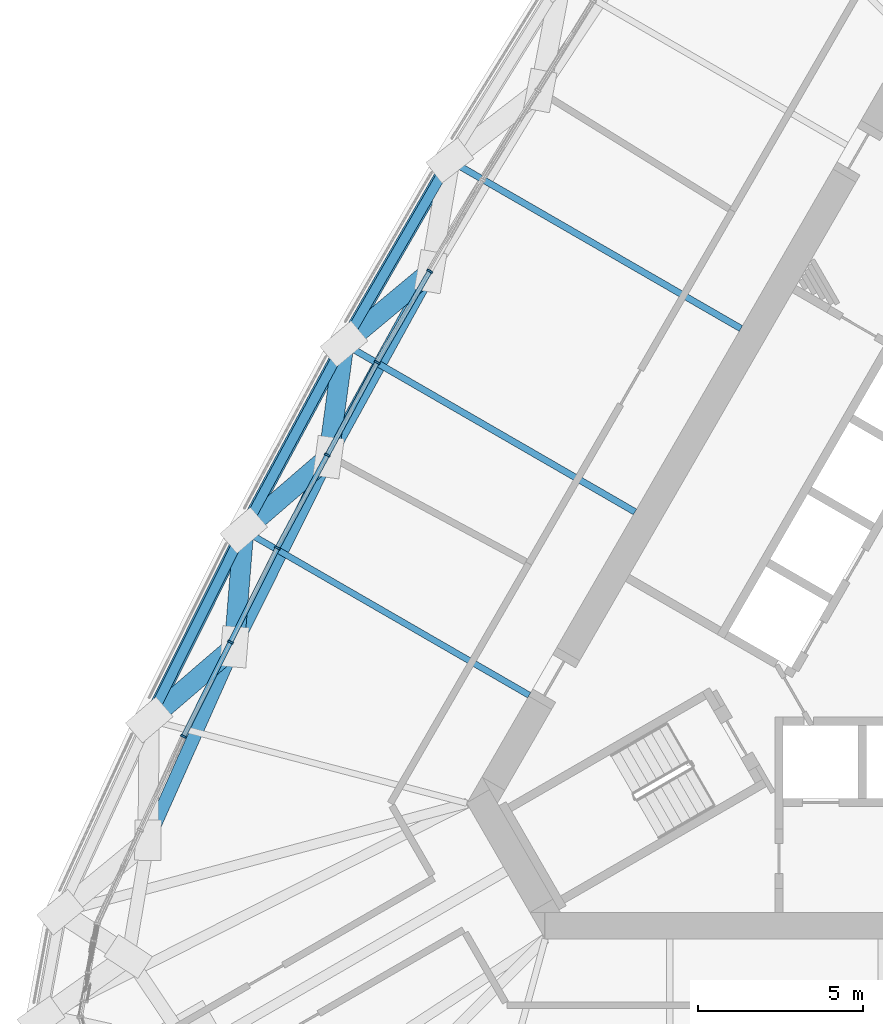
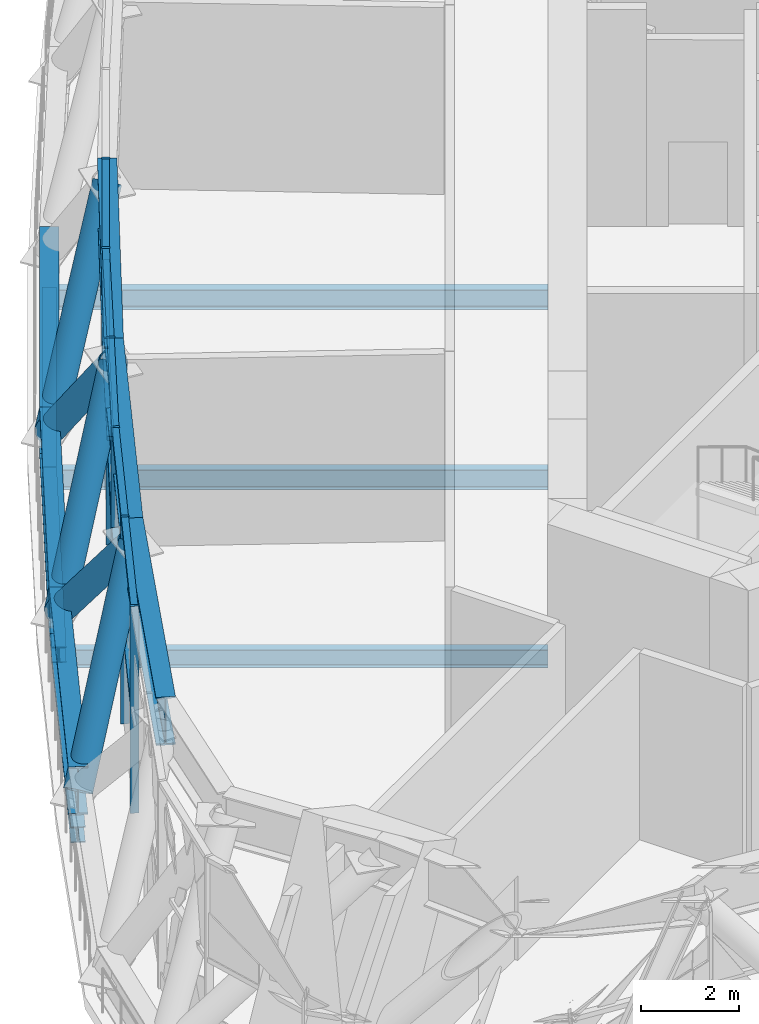
# One storey, part 4 of 35: 27 members, 6 beams, 1 element without a shape of its own.
"""IFC4 building model written with IfcOpenShell, lengths in metres."""

from ifc_helpers import new_model, si_unit, direction, frame, origin, origin_2d, place, context, subcontext, project, spatial, rectangle, hollow_circle, i_section, extrude, material, material_profile, profile_set, type_object, element, aggregate, save


model = new_model("IFC4")

# Units and contexts
model_context = context("Model", 3, precision=1e-05, world=origin(), true_north=direction((0.0, 1.0)))
body_context = subcontext(model_context, "Body", "Model", "MODEL_VIEW")
ifc_project = project(units=[si_unit("LENGTHUNIT", "METRE"), si_unit("AREAUNIT", "SQUARE_METRE"), si_unit("VOLUMEUNIT", "CUBIC_METRE"), si_unit("PLANEANGLEUNIT", "RADIAN"), si_unit("MASSUNIT", "GRAM", prefix="KILO")], contexts=[model_context])

# Site, building, storey
site_placement = place(None, origin())
site = spatial("IfcSite", under=ifc_project, at=site_placement, CompositionType="ELEMENT")
building_placement = place(site_placement, origin())
building = spatial("IfcBuilding", under=site, at=building_placement, Name="Mestral Congress Tower", CompositionType="ELEMENT")
storey_placement = place(building_placement, frame((0.0, 0.0, 196.199951171875)))
storey = spatial("IfcBuildingStorey", under=building, at=storey_placement, Name="L46", CompositionType="ELEMENT", Elevation=196.199951171875)

# Members
ifc_material_1 = material(Name="Steel S355", Category="steel")
ifc_material_profile_1 = material_profile(ifc_material_1, i_section(OverallWidth=0.39990234375, OverallDepth=1.199951171875, WebThickness=0.02001953125, FlangeThickness=0.0400390625, FilletRadius=0.010009765625, at=origin_2d()), Name="WPG 1200")
ifc_profile_set_1 = profile_set([ifc_material_profile_1], Name="Steel S355")
member_type_1 = type_object("IfcMemberType", Name="Belt chord WPG 1200 S355", PredefinedType="CHORD", material=ifc_profile_set_1)
for number, where, z_axis, x_axis, name in (
    (1, (-16.247314453125, 13.0751953125, 0.60009765625), (-0.500016352561, -0.866015962423, 0.0), (0.866015962423, -0.500016352561, 0.0), "MB-L46-BC3-W03"),
    (2, (-19.447265625, 7.532958984375, 0.60009765625), (-0.473312507767, -0.880894585062, 0.0), (0.880894585062, -0.473312507767, 0.0), "MB-L46-BC3-W04"),
):
    element("IfcMember", number, at=place(storey_placement, frame(where, z_axis=z_axis, x_axis=x_axis)), inside=storey, type_object=member_type_1, Name=name, PredefinedType="CHORD", context=body_context, shape_type="SweptSolid", body=[
        extrude(i_section(OverallWidth=0.39990234375, OverallDepth=1.199951171875, WebThickness=0.02001953125, FlangeThickness=0.0400390625, FilletRadius=0.010009765625, at=origin_2d()), origin(), (0.0, 0.0, 1.0), 6.399658203125),
    ])
member_1_placement = place(storey_placement, frame((-22.476318359375, 1.8955078125, 0.60009765625), z_axis=(-0.446252014681, -0.894907335646, 0.0), x_axis=(0.894907335646, -0.446252014681, 0.0)))
element("IfcMember", 3, at=member_1_placement, inside=storey, type_object=member_type_1, Name="MB-L46-BC3-W05", PredefinedType="CHORD", context=body_context, shape_type="SweptSolid", body=[
    extrude(i_section(OverallWidth=0.39990234375, OverallDepth=1.199951171875, WebThickness=0.02001953125, FlangeThickness=0.0400390625, FilletRadius=0.010009765625, at=origin_2d()), origin(), (0.0, 0.0, 1.0), 6.39990234375),
])
member_2_placement = place(storey_placement, frame((-16.827392578125, 9.71533203125, 4.550048828125), z_axis=(-0.481936323111, -0.876206243111, 0.0), x_axis=(0.876206243111, -0.481936323111, 0.0)))
element("IfcMember", 4, at=member_2_placement, inside=storey, type_object=member_type_1, Name="MB-L46-TC3-W03", PredefinedType="CHORD", context=body_context, shape_type="SweptSolid", body=[
    extrude(i_section(OverallWidth=0.39990234375, OverallDepth=1.199951171875, WebThickness=0.02001953125, FlangeThickness=0.0400390625, FilletRadius=0.010009765625, at=origin_2d()), origin(), (0.0, 0.0, 1.0), 6.399658203125),
])
member_3_placement = place(storey_placement, frame((-19.91162109375, 4.10791015625, 4.550048828125), z_axis=(-0.445137018466, -0.895462469784, 0.0), x_axis=(0.895462469784, -0.445137018466, 0.0)))
element("IfcMember", 5, at=member_3_placement, inside=storey, type_object=member_type_1, Name="MB-L46-TC3-W04", PredefinedType="CHORD", context=body_context, shape_type="SweptSolid", body=[
    extrude(i_section(OverallWidth=0.39990234375, OverallDepth=1.199951171875, WebThickness=0.02001953125, FlangeThickness=0.0400390625, FilletRadius=0.010009765625, at=origin_2d()), origin(), (0.0, 0.0, 1.0), 6.3994140625),
])
member_4_placement = place(storey_placement, frame((-22.76025390625, -1.62255859375, 4.550048828125), z_axis=(-0.407628118889, -0.913148025618, 0.0), x_axis=(0.913148025618, -0.407628118889, 0.0)))
element("IfcMember", 6, at=member_4_placement, inside=storey, type_object=member_type_1, Name="MB-L46-TC3-W05", PredefinedType="CHORD", context=body_context, shape_type="SweptSolid", body=[
    extrude(i_section(OverallWidth=0.39990234375, OverallDepth=1.199951171875, WebThickness=0.02001953125, FlangeThickness=0.0400390625, FilletRadius=0.010009765625, at=origin_2d()), origin(), (0.0, 0.0, 1.0), 6.399658203125),
])
ifc_material_profile_2 = material_profile(ifc_material_1, hollow_circle(Radius=0.304931640625, WallThickness=0.02490234375, at=origin_2d()), Name="CHS 610x25")
ifc_profile_set_2 = profile_set([ifc_material_profile_2], Name="Steel S355")
member_type_2 = type_object("IfcMemberType", Name="Belt diagonal CHS 610x25 S355", PredefinedType="BRACE", material=ifc_profile_set_2)
member_5_placement = place(storey_placement, frame((-19.447265625, 7.532958984375, 0.60009765625), z_axis=(0.502073826284, 0.418231099912, 0.756970686372), x_axis=(-0.640036491773, 0.768344512051, 0.0)))
element("IfcMember", 7, at=member_5_placement, inside=storey, type_object=member_type_2, Name="MD-L46-BD3-W04.W03", PredefinedType="BRACE", context=body_context, shape_type="SweptSolid", body=[
    extrude(hollow_circle(Radius=0.304931640625, WallThickness=0.02490234375, at=origin_2d()), origin(), (0.0, 0.0, 1.0), 5.218017578125),
])
member_6_placement = place(storey_placement, frame((-19.447265625, 7.532958984375, 0.60009765625), z_axis=(-0.088470811705, -0.652553636914, 0.752560074962), x_axis=(0.990934319662, -0.134347214769, 0.0)))
element("IfcMember", 8, at=member_6_placement, inside=storey, type_object=member_type_2, Name="MD-L46-BD3-W04.W04", PredefinedType="BRACE", context=body_context, shape_type="SweptSolid", body=[
    extrude(hollow_circle(Radius=0.304931640625, WallThickness=0.02490234375, at=origin_2d()), origin(), (0.0, 0.0, 1.0), 5.248779296875),
])
member_7_placement = place(storey_placement, frame((-22.476318359375, 1.8955078125, 0.60009765625), z_axis=(0.492896577315, 0.425190745705, 0.75912172531), x_axis=(-0.653186261293, 0.75719727156, 0.0)))
element("IfcMember", 9, at=member_7_placement, inside=storey, type_object=member_type_2, Name="MD-L46-BD3-W05.W04", PredefinedType="BRACE", context=body_context, shape_type="SweptSolid", body=[
    extrude(hollow_circle(Radius=0.304931640625, WallThickness=0.02490234375, at=origin_2d()), origin(), (0.0, 0.0, 1.0), 5.203369140625),
])
member_8_placement = place(storey_placement, frame((-22.476318359375, 1.8955078125, 0.60009765625), z_axis=(-0.053601829149, -0.664146481549, 0.74567841256), x_axis=(0.996758947141, -0.080446263395, 0.0)))
element("IfcMember", 10, at=member_8_placement, inside=storey, type_object=member_type_2, Name="MD-L46-BD3-W05.W05", PredefinedType="BRACE", context=body_context, shape_type="SweptSolid", body=[
    extrude(hollow_circle(Radius=0.304931640625, WallThickness=0.02490234375, at=origin_2d()), origin(), (0.0, 0.0, 1.0), 5.297119140625),
])
member_9_placement = place(storey_placement, frame((-25.332275390625, -3.831787109375, 0.60009765625), z_axis=(0.494088989679, 0.424395943769, 0.758791244804), x_axis=(-0.651579696695, 0.758580186173, 0.0)))
element("IfcMember", 11, at=member_9_placement, inside=storey, type_object=member_type_2, Name="MD-L46-BD3-W06.W05", PredefinedType="BRACE", context=body_context, shape_type="SweptSolid", body=[
    extrude(hollow_circle(Radius=0.304931640625, WallThickness=0.02490234375, at=origin_2d()), origin(), (0.0, 0.0, 1.0), 5.20556640625),
])

# Curtain wall, members
ifc_material_2 = material(Name="Clear low-emissivity double glazing", Category="glass")
curtain_wall_type = type_object("IfcCurtainWallType", Name="Facade refuge band screen", PredefinedType="USERDEFINED", material=ifc_material_2)
curtain_wall_placement = place(storey_placement, origin())
curtain_wall = element("IfcCurtainWall", 12, at=curtain_wall_placement, inside=storey, type_object=curtain_wall_type, Name="Facade refuge band screen face 3", ObjectType="CURTAIN WALL", PredefinedType="USERDEFINED")
ifc_material_3 = material(Name="Anodised aluminium", Category="aluminium")
ifc_material_profile_3 = material_profile(ifc_material_3, rectangle(XDim=0.179931640625, YDim=0.06005859375, at=origin_2d()), Name="CW3 mullion 180 x 60")
ifc_profile_set_3 = profile_set([ifc_material_profile_3], Name="Anodised aluminium")
member_type_3 = type_object("IfcMemberType", Name="Facade refuge band screen mullion", PredefinedType="MULLION", material=ifc_profile_set_3)
member_10_placement = place(storey_placement, frame((-16.851318359375, 9.72900390625, 0.0), z_axis=(0.0, 0.0, 1.0), x_axis=(-0.866025403784, 0.5, 0.0)))
member_10 = element("IfcMember", 13, at=member_10_placement, type_object=member_type_3, Name="Facade refuge band screen mullion", PredefinedType="MULLION", context=body_context, shape_type="SweptSolid", body=[
    extrude(rectangle(XDim=0.179931640625, YDim=0.06005859375, at=origin_2d()), origin(), (0.0, 0.0, 1.0), 5.150146484375),
])
member_11_placement = place(storey_placement, frame((-18.4423828125, 6.97314453125, 0.0), z_axis=(0.0, 0.0, 1.0), x_axis=(-0.873555688587, 0.486724212401, 0.0)))
member_11 = element("IfcMember", 14, at=member_11_placement, type_object=member_type_3, Name="Facade refuge band screen mullion", PredefinedType="MULLION", context=body_context, shape_type="SweptSolid", body=[
    extrude(rectangle(XDim=0.179931640625, YDim=0.06005859375, at=origin_2d()), origin(), (0.0, 0.0, 1.0), 5.150146484375),
])
member_12_placement = place(storey_placement, frame((-19.94873046875, 4.169921875, 0.0), z_axis=(0.0, 0.0, 1.0), x_axis=(-0.880881650958, 0.473336578986, 0.0)))
member_12 = element("IfcMember", 15, at=member_12_placement, type_object=member_type_3, Name="Facade refuge band screen mullion", PredefinedType="MULLION", context=body_context, shape_type="SweptSolid", body=[
    extrude(rectangle(XDim=0.179931640625, YDim=0.06005859375, at=origin_2d()), origin(), (0.0, 0.0, 1.0), 5.150146484375),
])
member_13_placement = place(storey_placement, frame((-21.455078125, 1.36669921875, 0.0), z_axis=(0.0, 0.0, 1.0), x_axis=(-0.888003259923, 0.459837156356, 0.0)))
member_13 = element("IfcMember", 16, at=member_13_placement, type_object=member_type_3, Name="Facade refuge band screen mullion", PredefinedType="MULLION", context=body_context, shape_type="SweptSolid", body=[
    extrude(rectangle(XDim=0.179931640625, YDim=0.06005859375, at=origin_2d()), origin(), (0.0, 0.0, 1.0), 5.150146484375),
])
member_14_placement = place(storey_placement, frame((-22.875, -1.481201171875, 0.0), z_axis=(0.0, 0.0, 1.0), x_axis=(-0.894918006997, 0.446230613868, 0.0)))
member_14 = element("IfcMember", 17, at=member_14_placement, type_object=member_type_3, Name="Facade refuge band screen mullion", PredefinedType="MULLION", context=body_context, shape_type="SweptSolid", body=[
    extrude(rectangle(XDim=0.179931640625, YDim=0.06005859375, at=origin_2d()), origin(), (0.0, 0.0, 1.0), 5.150146484375),
])
member_15_placement = place(storey_placement, frame((-24.295166015625, -4.3291015625, 0.0), z_axis=(0.0, 0.0, 1.0), x_axis=(-0.901623526485, 0.432521694818, 0.0)))
member_15 = element("IfcMember", 18, at=member_15_placement, type_object=member_type_3, Name="Facade refuge band screen mullion", PredefinedType="MULLION", context=body_context, shape_type="SweptSolid", body=[
    extrude(rectangle(XDim=0.179931640625, YDim=0.06005859375, at=origin_2d()), origin(), (0.0, 0.0, 1.0), 5.150146484375),
])
ifc_material_profile_4 = material_profile(ifc_material_3, rectangle(XDim=0.14990234375, YDim=0.1201171875, at=origin_2d()), Name="CW3 transom 150 x 120")
ifc_profile_set_4 = profile_set([ifc_material_profile_4], Name="Anodised aluminium")
member_type_4 = type_object("IfcMemberType", Name="Facade refuge band screen transom", PredefinedType="USERDEFINED", material=ifc_profile_set_4)
member_16_placement = place(storey_placement, frame((-16.8662109375, 9.703125, 2.60009765625), z_axis=(-0.500015740354, -0.866016315896, 0.0), x_axis=(0.866016315896, -0.500015740354, 0.0)))
member_16 = element("IfcMember", 19, at=member_16_placement, type_object=member_type_4, Name="Facade refuge band screen transom", ObjectType="TRANSOM", PredefinedType="USERDEFINED", context=body_context, shape_type="SweptSolid", body=[
    extrude(rectangle(XDim=0.14990234375, YDim=0.1201171875, at=origin_2d()), origin(), (0.0, 0.0, 1.0), 3.12255859375),
])
member_17_placement = place(storey_placement, frame((-16.8662109375, 9.703125, 5.090087890625), z_axis=(-0.500015740354, -0.866016315896, 0.0), x_axis=(0.866016315896, -0.500015740354, 0.0)))
member_17 = element("IfcMember", 20, at=member_17_placement, type_object=member_type_4, Name="Facade refuge band screen transom", ObjectType="TRANSOM", PredefinedType="USERDEFINED", context=body_context, shape_type="SweptSolid", body=[
    extrude(rectangle(XDim=0.14990234375, YDim=0.1201171875, at=origin_2d()), origin(), (0.0, 0.0, 1.0), 3.12255859375),
])
member_18_placement = place(storey_placement, frame((-18.456787109375, 6.94677734375, 2.60009765625), z_axis=(-0.473292960698, -0.880905087597, 0.0), x_axis=(0.880905087597, -0.473292960698, 0.0)))
member_18 = element("IfcMember", 21, at=member_18_placement, type_object=member_type_4, Name="Facade refuge band screen transom", ObjectType="TRANSOM", PredefinedType="USERDEFINED", context=body_context, shape_type="SweptSolid", body=[
    extrude(rectangle(XDim=0.14990234375, YDim=0.1201171875, at=origin_2d()), origin(), (0.0, 0.0, 1.0), 3.122314453125),
])
member_19_placement = place(storey_placement, frame((-18.456787109375, 6.94677734375, 5.090087890625), z_axis=(-0.473292960698, -0.880905087597, 0.0), x_axis=(0.880905087597, -0.473292960698, 0.0)))
member_19 = element("IfcMember", 22, at=member_19_placement, type_object=member_type_4, Name="Facade refuge band screen transom", ObjectType="TRANSOM", PredefinedType="USERDEFINED", context=body_context, shape_type="SweptSolid", body=[
    extrude(rectangle(XDim=0.14990234375, YDim=0.1201171875, at=origin_2d()), origin(), (0.0, 0.0, 1.0), 3.122314453125),
])
member_20_placement = place(storey_placement, frame((-19.962890625, 4.1435546875, 2.60009765625), z_axis=(-0.473353633423, -0.880872486644, 0.0), x_axis=(0.880872486644, -0.473353633423, 0.0)))
member_20 = element("IfcMember", 23, at=member_20_placement, type_object=member_type_4, Name="Facade refuge band screen transom", ObjectType="TRANSOM", PredefinedType="USERDEFINED", context=body_context, shape_type="SweptSolid", body=[
    extrude(rectangle(XDim=0.14990234375, YDim=0.1201171875, at=origin_2d()), origin(), (0.0, 0.0, 1.0), 3.12255859375),
])
member_21_placement = place(storey_placement, frame((-19.962890625, 4.1435546875, 5.090087890625), z_axis=(-0.473353633423, -0.880872486644, 0.0), x_axis=(0.880872486644, -0.473353633423, 0.0)))
member_21 = element("IfcMember", 24, at=member_21_placement, type_object=member_type_4, Name="Facade refuge band screen transom", ObjectType="TRANSOM", PredefinedType="USERDEFINED", context=body_context, shape_type="SweptSolid", body=[
    extrude(rectangle(XDim=0.14990234375, YDim=0.1201171875, at=origin_2d()), origin(), (0.0, 0.0, 1.0), 3.12255859375),
])
member_22_placement = place(storey_placement, frame((-21.468505859375, 1.33984375, 2.60009765625), z_axis=(-0.446243747582, -0.894911458047, 0.0), x_axis=(0.894911458047, -0.446243747582, 0.0)))
member_22 = element("IfcMember", 25, at=member_22_placement, type_object=member_type_4, Name="Facade refuge band screen transom", ObjectType="TRANSOM", PredefinedType="USERDEFINED", context=body_context, shape_type="SweptSolid", body=[
    extrude(rectangle(XDim=0.14990234375, YDim=0.1201171875, at=origin_2d()), origin(), (0.0, 0.0, 1.0), 3.122314453125),
])
member_23_placement = place(storey_placement, frame((-21.468505859375, 1.33984375, 5.090087890625), z_axis=(-0.446243747582, -0.894911458047, 0.0), x_axis=(0.894911458047, -0.446243747582, 0.0)))
member_23 = element("IfcMember", 26, at=member_23_placement, type_object=member_type_4, Name="Facade refuge band screen transom", ObjectType="TRANSOM", PredefinedType="USERDEFINED", context=body_context, shape_type="SweptSolid", body=[
    extrude(rectangle(XDim=0.14990234375, YDim=0.1201171875, at=origin_2d()), origin(), (0.0, 0.0, 1.0), 3.122314453125),
])
member_24_placement = place(storey_placement, frame((-22.888427734375, -1.508056640625, 2.60009765625), z_axis=(-0.446212523486, -0.894927027128, 0.0), x_axis=(0.894927027128, -0.446212523486, 0.0)))
member_24 = element("IfcMember", 27, at=member_24_placement, type_object=member_type_4, Name="Facade refuge band screen transom", ObjectType="TRANSOM", PredefinedType="USERDEFINED", context=body_context, shape_type="SweptSolid", body=[
    extrude(rectangle(XDim=0.14990234375, YDim=0.1201171875, at=origin_2d()), origin(), (0.0, 0.0, 1.0), 3.12255859375),
])
member_25_placement = place(storey_placement, frame((-22.888427734375, -1.508056640625, 5.090087890625), z_axis=(-0.446212523486, -0.894927027128, 0.0), x_axis=(0.894927027128, -0.446212523486, 0.0)))
member_25 = element("IfcMember", 28, at=member_25_placement, type_object=member_type_4, Name="Facade refuge band screen transom", ObjectType="TRANSOM", PredefinedType="USERDEFINED", context=body_context, shape_type="SweptSolid", body=[
    extrude(rectangle(XDim=0.14990234375, YDim=0.1201171875, at=origin_2d()), origin(), (0.0, 0.0, 1.0), 3.12255859375),
])
aggregate(curtain_wall, [member_10, member_11, member_12, member_13, member_14, member_15, member_16, member_17, member_18, member_19, member_20, member_21, member_22, member_23, member_24, member_25])

# Beams
ifc_material_profile_5 = material_profile(ifc_material_1, i_section(OverallWidth=0.18994140625, OverallDepth=0.449951171875, WebThickness=0.009521484375, FlangeThickness=0.0146484375, FilletRadius=0.02099609375, at=origin_2d()), Name="IPE 450")
ifc_profile_set_5 = profile_set([ifc_material_profile_5], Name="Steel S355")
beam_type_1 = type_object("IfcBeamType", Name="Floor beam IPE 450 S355", PredefinedType="BEAM", material=ifc_profile_set_5)
beam_1_placement = place(storey_placement, frame((-22.476318359375, 1.8955078125, -0.52490234375), z_axis=(0.866020719064, -0.500008114086, 0.0), x_axis=(0.500008114086, 0.866020719064, 0.0)))
element("IfcBeam", 29, at=beam_1_placement, inside=storey, type_object=beam_type_1, Name="BM-L46-RB3-W05", PredefinedType="BEAM", context=body_context, shape_type="SweptSolid", body=[
    extrude(i_section(OverallWidth=0.18994140625, OverallDepth=0.449951171875, WebThickness=0.009521484375, FlangeThickness=0.0146484375, FilletRadius=0.02099609375, at=origin_2d()), origin(), (0.0, 0.0, 1.0), 9.962646484375),
])
ifc_material_profile_6 = material_profile(ifc_material_1, i_section(OverallWidth=0.199951171875, OverallDepth=0.5, WebThickness=0.01025390625, FlangeThickness=0.01611328125, FilletRadius=0.02099609375, at=origin_2d()), Name="IPE 500")
ifc_profile_set_6 = profile_set([ifc_material_profile_6], Name="Steel S355")
beam_type_2 = type_object("IfcBeamType", Name="Floor beam IPE 500 S355", PredefinedType="BEAM", material=ifc_profile_set_6)
for number, where, z_axis, x_axis, name in (
    (30, (-16.247314453125, 13.0751953125, -0.550048828125), (0.866027897259, -0.49999568115, 0.0), (0.49999568115, 0.866027897259, 0.0), "BM-L46-RB3-W03"),
    (31, (-19.447265625, 7.532958984375, -0.550048828125), (0.866027897259, -0.49999568115, 0.0), (0.49999568115, 0.866027897259, 0.0), "BM-L46-RB3-W04"),
):
    element("IfcBeam", number, at=place(storey_placement, frame(where, z_axis=z_axis, x_axis=x_axis)), inside=storey, type_object=beam_type_2, Name=name, PredefinedType="BEAM", context=body_context, shape_type="SweptSolid", body=[
        extrude(i_section(OverallWidth=0.199951171875, OverallDepth=0.5, WebThickness=0.01025390625, FlangeThickness=0.01611328125, FilletRadius=0.02099609375, at=origin_2d()), origin(), (0.0, 0.0, 1.0), 10.158203125),
    ])
ifc_material_profile_7 = material_profile(ifc_material_1, i_section(OverallWidth=0.300048828125, OverallDepth=0.389892578125, WebThickness=0.010986328125, FlangeThickness=0.01904296875, FilletRadius=0.027099609375, at=origin_2d()), Name="HEA 400")
ifc_profile_set_7 = profile_set([ifc_material_profile_7], Name="Steel S355")
beam_type_3 = type_object("IfcBeamType", Name="Spandrel beam HEA 400 S355", PredefinedType="BEAM", material=ifc_profile_set_7)
for number, where, z_axis, x_axis, name in (
    (32, (-16.247314453125, 13.0751953125, -0.494873046875), (-0.500016352561, -0.866015962423, 0.0), (0.866015962423, -0.500016352561, 0.0), "SP-L46-SB3-W03"),
    (33, (-19.447265625, 7.532958984375, -0.494873046875), (-0.473312507767, -0.880894585062, 0.0), (0.880894585062, -0.473312507767, 0.0), "SP-L46-SB3-W04"),
):
    element("IfcBeam", number, at=place(storey_placement, frame(where, z_axis=z_axis, x_axis=x_axis)), inside=storey, type_object=beam_type_3, Name=name, PredefinedType="BEAM", context=body_context, shape_type="SweptSolid", body=[
        extrude(i_section(OverallWidth=0.300048828125, OverallDepth=0.389892578125, WebThickness=0.010986328125, FlangeThickness=0.01904296875, FilletRadius=0.027099609375, at=origin_2d()), origin(), (0.0, 0.0, 1.0), 6.399658203125),
    ])
beam_2_placement = place(storey_placement, frame((-22.476318359375, 1.8955078125, -0.494873046875), z_axis=(-0.446252014681, -0.894907335646, 0.0), x_axis=(0.894907335646, -0.446252014681, 0.0)))
element("IfcBeam", 34, at=beam_2_placement, inside=storey, type_object=beam_type_3, Name="SP-L46-SB3-W05", PredefinedType="BEAM", context=body_context, shape_type="SweptSolid", body=[
    extrude(i_section(OverallWidth=0.300048828125, OverallDepth=0.389892578125, WebThickness=0.010986328125, FlangeThickness=0.01904296875, FilletRadius=0.027099609375, at=origin_2d()), origin(), (0.0, 0.0, 1.0), 6.39990234375),
])

save(model, "model.ifc")
